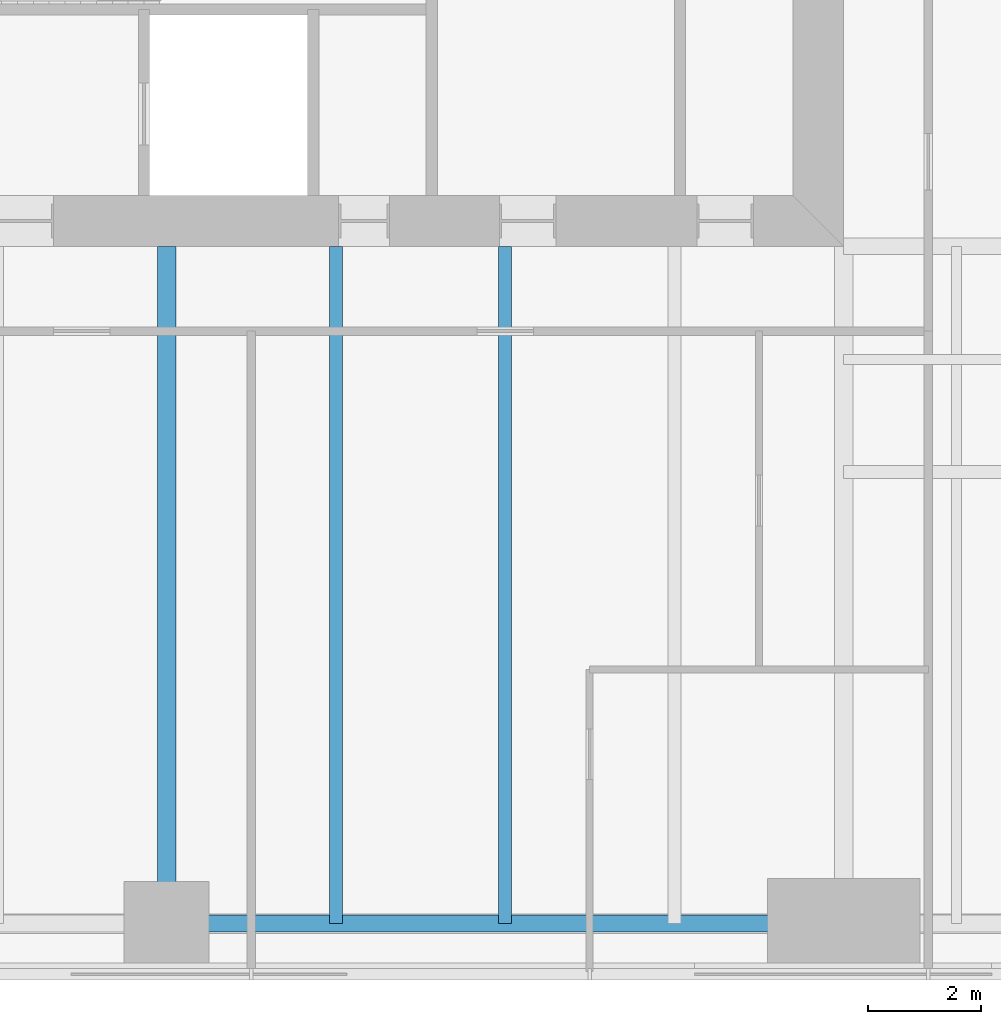
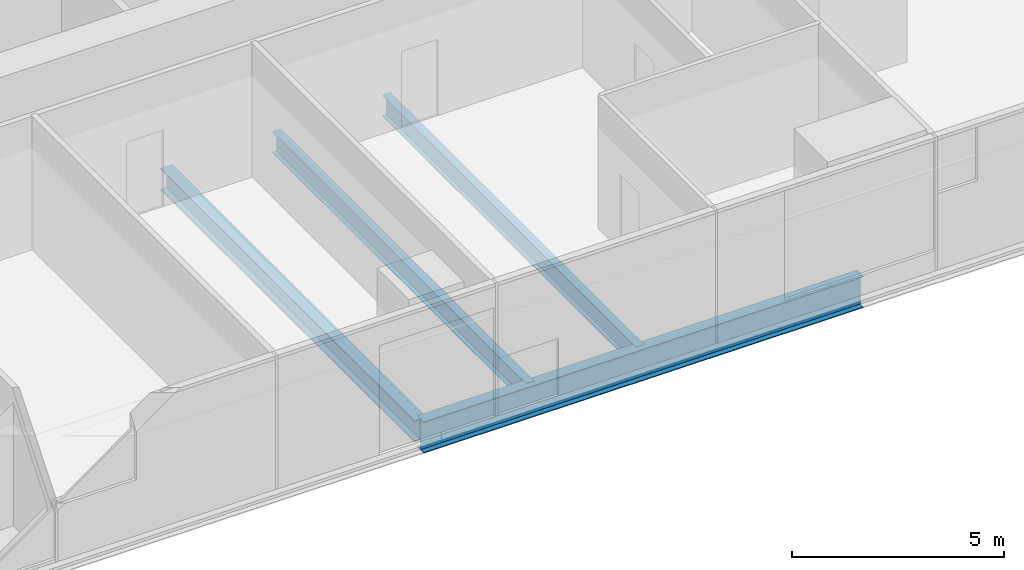
# One storey, part 3 of 14: 4 beams.
"""IFC4 building model written with IfcOpenShell, lengths in metres."""

from ifc_helpers import new_model, si_unit, direction, frame, origin, origin_2d, place, context, subcontext, project, spatial, i_section, extrude, material, material_profile, profile_set, type_object, element, save


model = new_model("IFC4")

# Units and contexts
model_context = context("Model", 3, precision=1e-05, world=origin(), true_north=direction((0.0, 1.0)))
body_context = subcontext(model_context, "Body", "Model", "MODEL_VIEW")
ifc_project = project(units=[si_unit("LENGTHUNIT", "METRE"), si_unit("AREAUNIT", "SQUARE_METRE"), si_unit("VOLUMEUNIT", "CUBIC_METRE"), si_unit("PLANEANGLEUNIT", "RADIAN"), si_unit("MASSUNIT", "GRAM", prefix="KILO")], contexts=[model_context])

# Site, building, storey
site_placement = place(None, origin())
site = spatial("IfcSite", under=ifc_project, at=site_placement, CompositionType="ELEMENT")
building_placement = place(site_placement, origin())
building = spatial("IfcBuilding", under=site, at=building_placement, Name="Fenwick Lantern Interchange", CompositionType="ELEMENT")
storey_placement = place(building_placement, frame((0.0, 0.0, 59.0)))
storey = spatial("IfcBuildingStorey", under=building, at=storey_placement, Name="L13", CompositionType="ELEMENT", Elevation=59.0)

# Beams
ifc_material = material(Name="Steel ASTM A992 Grade 50", Category="steel")
ifc_material_profile_1 = material_profile(ifc_material, i_section(OverallWidth=0.3046875, OverallDepth=0.911865234375, WebThickness=0.015869140625, FlangeThickness=0.02392578125, at=origin_2d()), Name="W36X150")
ifc_profile_set_1 = profile_set([ifc_material_profile_1], Name="Steel ASTM A992 Grade 50")
beam_type_1 = type_object("IfcBeamType", Name="EDGE BEAM W36X150", PredefinedType="SPANDREL", material=ifc_profile_set_1)
beam_1_placement = place(storey_placement, frame((25.0, 1.0, -0.60595703125), z_axis=(1.0, 0.0, 0.0), x_axis=(0.0, 1.0, 0.0)))
element("IfcBeam", 1, at=beam_1_placement, inside=storey, type_object=beam_type_1, Name="L13/FR/S/EB3", PredefinedType="SPANDREL", context=body_context, shape_type="SweptSolid", body=[
    extrude(i_section(OverallWidth=0.3046875, OverallDepth=0.911865234375, WebThickness=0.015869140625, FlangeThickness=0.02392578125, at=origin_2d()), origin(), (0.0, 0.0, 1.0), 12.0),
])
ifc_material_profile_2 = material_profile(ifc_material, i_section(OverallWidth=0.22900390625, OverallDepth=0.612060546875, WebThickness=0.011962890625, FlangeThickness=0.01953125, at=origin_2d()), Name="W24X84")
ifc_profile_set_2 = profile_set([ifc_material_profile_2], Name="Steel ASTM A992 Grade 50")
beam_type_2 = type_object("IfcBeamType", Name="FLOOR BEAM W24X84", PredefinedType="BEAM", material=ifc_profile_set_2)
for number, where, z_axis, x_axis, name in (
    (2, (28.0, 1.0, -0.4560546875), (0.0, 1.0, 0.0), (-1.0, 0.0, 0.0), "L13/FR/S/R06"),
    (3, (31.0, 1.0, -0.4560546875), (0.0, 1.0, 0.0), (-1.0, 0.0, 0.0), "L13/FR/S/R07"),
):
    element("IfcBeam", number, at=place(storey_placement, frame(where, z_axis=z_axis, x_axis=x_axis)), inside=storey, type_object=beam_type_2, Name=name, PredefinedType="BEAM", context=body_context, shape_type="SweptSolid", body=[
        extrude(i_section(OverallWidth=0.22900390625, OverallDepth=0.612060546875, WebThickness=0.011962890625, FlangeThickness=0.01953125, at=origin_2d()), origin(), (0.0, 0.0, 1.0), 12.0),
    ])
ifc_material_profile_3 = material_profile(ifc_material, i_section(OverallWidth=0.32763671875, OverallDepth=0.622314453125, WebThickness=0.015380859375, FlangeThickness=0.0244140625, at=origin_2d()), Name="W24X131")
ifc_profile_set_3 = profile_set([ifc_material_profile_3], Name="Steel ASTM A992 Grade 50")
beam_type_3 = type_object("IfcBeamType", Name="MOMENT-CONNECTED GIRDER W24X131", PredefinedType="BEAM", material=ifc_profile_set_3)
beam_2_placement = place(storey_placement, frame((25.0, 1.0, -0.461181640625), z_axis=(0.0, 1.0, 0.0), x_axis=(-1.0, 0.0, 0.0)))
element("IfcBeam", 4, at=beam_2_placement, inside=storey, type_object=beam_type_3, Name="L13/FR/S/R05", PredefinedType="BEAM", context=body_context, shape_type="SweptSolid", body=[
    extrude(i_section(OverallWidth=0.32763671875, OverallDepth=0.622314453125, WebThickness=0.015380859375, FlangeThickness=0.0244140625, at=origin_2d()), origin(), (0.0, 0.0, 1.0), 12.0),
])

save(model, "model.ifc")
